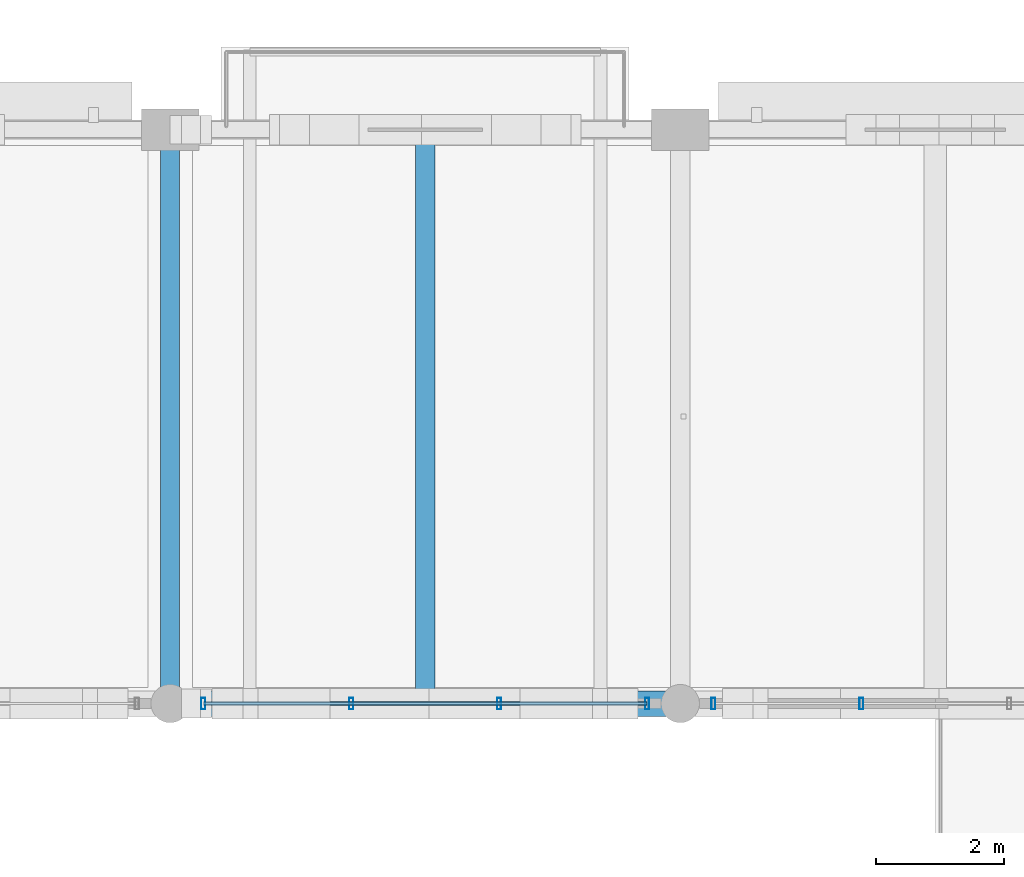
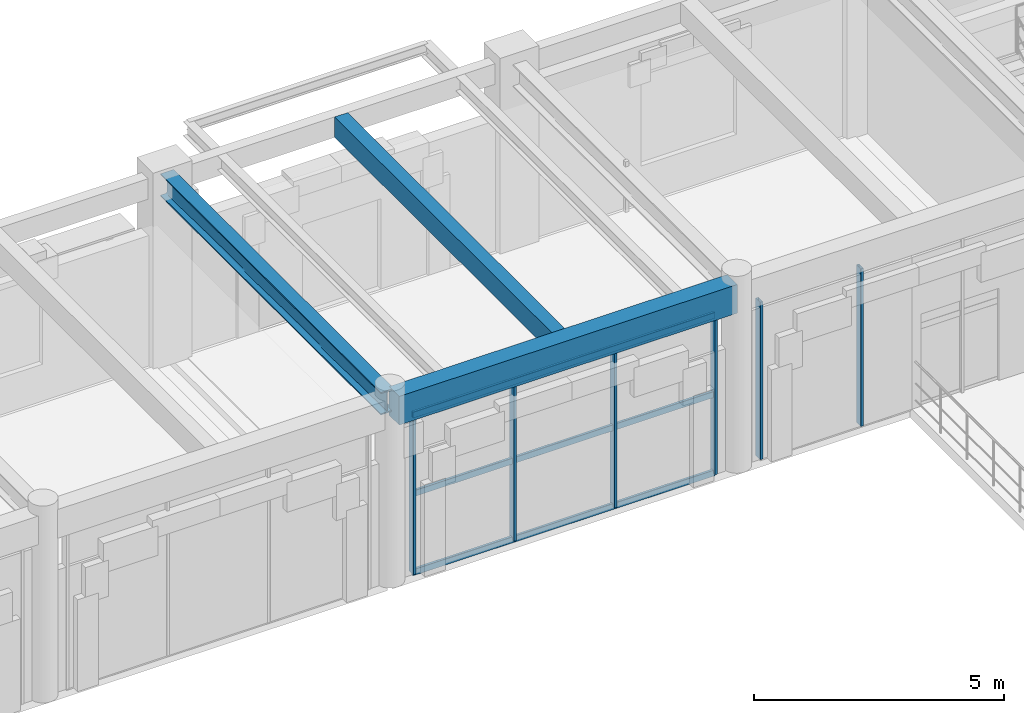
# One storey, part 67 of 144: 9 members, 3 beams, 2 elements without a shape of their own.
"""IFC4 building model written with IfcOpenShell, lengths in metres."""

from ifc_helpers import new_model, si_unit, direction, frame, origin, origin_2d, place, context, subcontext, project, spatial, rectangle, hollow_rectangle, i_section, extrude, material, material_profile, profile_set, type_object, element, aggregate, save


model = new_model("IFC4")

# Units and contexts
model_context = context("Model", 3, precision=1e-05, world=origin(), true_north=direction((0.0, 1.0)))
body_context = subcontext(model_context, "Body", "Model", "MODEL_VIEW")
ifc_project = project(units=[si_unit("LENGTHUNIT", "METRE"), si_unit("AREAUNIT", "SQUARE_METRE"), si_unit("VOLUMEUNIT", "CUBIC_METRE"), si_unit("PLANEANGLEUNIT", "RADIAN"), si_unit("MASSUNIT", "GRAM", prefix="KILO")], contexts=[model_context])

# Site, building, storey
site_placement = place(None, origin())
site = spatial("IfcSite", under=ifc_project, at=site_placement, CompositionType="ELEMENT")
building_placement = place(site_placement, origin())
building = spatial("IfcBuilding", under=site, at=building_placement, Name="Varnabhumi Central Station", CompositionType="ELEMENT")
storey_placement = place(building_placement, frame((0.0, 0.0, 4.800048828125)))
storey = spatial("IfcBuildingStorey", under=building, at=storey_placement, Name="L01", CompositionType="ELEMENT", Elevation=4.800048828125)

# Beams
ifc_material_1 = material(Name="Concrete M40", Category="concrete")
ifc_material_profile_1 = material_profile(ifc_material_1, rectangle(XDim=0.300048828125, YDim=0.5, at=origin_2d()), Name="Concrete M40", Category="concrete")
ifc_profile_set_1 = profile_set([ifc_material_profile_1], Name="Concrete M40")
beam_type_1 = type_object("IfcBeamType", Name="BM-RC-300x500", PredefinedType="JOIST", material=ifc_profile_set_1)
beam_1_placement = place(storey_placement, frame((68.0, 107.199951171875, 4.300048828125), z_axis=(0.0, 1.0, 0.0), x_axis=(-1.0, 0.0, 0.0)))
element("IfcBeam", 1, at=beam_1_placement, inside=storey, type_object=beam_type_1, Name="Secondary Joist L01-9/10:N-P", PredefinedType="JOIST", context=body_context, shape_type="SweptSolid", body=[
    extrude(rectangle(XDim=0.300048828125, YDim=0.5, at=origin_2d()), origin(), (0.0, 0.0, 1.0), 8.675048828125),
])
ifc_material_profile_2 = material_profile(ifc_material_1, rectangle(XDim=0.39990234375, YDim=0.699951171875, at=origin_2d()), Name="Concrete M40", Category="concrete")
ifc_profile_set_2 = profile_set([ifc_material_profile_2], Name="Concrete M40")
beam_type_2 = type_object("IfcBeamType", Name="BM-RC-400x700", PredefinedType="BEAM", material=ifc_profile_set_2)
beam_2_placement = place(storey_placement, frame((64.10009765625, 107.0, 4.199951171875), z_axis=(1.0, 0.0, 0.0), x_axis=(0.0, 1.0, 0.0)))
element("IfcBeam", 2, at=beam_2_placement, inside=storey, type_object=beam_type_2, Name="Beam L01-N:9-10", PredefinedType="BEAM", context=body_context, shape_type="SweptSolid", body=[
    extrude(rectangle(XDim=0.39990234375, YDim=0.699951171875, at=origin_2d()), origin(), (0.0, 0.0, 1.0), 7.7998046875),
])
ifc_material_2 = material(Name="Structural steel E350", Category="steel")
ifc_material_profile_3 = material_profile(ifc_material_2, i_section(OverallWidth=0.300048828125, OverallDepth=0.550048828125, WebThickness=0.014892578125, FlangeThickness=0.029052734375, FilletRadius=0.027099609375, at=origin_2d()), Name="Structural steel E350", Category="steel")
ifc_profile_set_3 = profile_set([ifc_material_profile_3], Name="Structural steel E350")
beam_type_3 = type_object("IfcBeamType", Name="BM-STL-WPB550", PredefinedType="BEAM", material=ifc_profile_set_3)
beam_3_placement = place(storey_placement, frame((64.0, 107.10009765625, 4.27490234375), z_axis=(0.0, 1.0, 0.0), x_axis=(-1.0, 0.0, 0.0)))
element("IfcBeam", 3, at=beam_3_placement, inside=storey, type_object=beam_type_3, Name="Beam L01-9:N-P", PredefinedType="BEAM", context=body_context, shape_type="SweptSolid", body=[
    extrude(i_section(OverallWidth=0.300048828125, OverallDepth=0.550048828125, WebThickness=0.014892578125, FlangeThickness=0.029052734375, FilletRadius=0.027099609375, at=origin_2d()), origin(), (0.0, 0.0, 1.0), 8.7998046875),
])

# Curtain wall, members
ifc_material_3 = material(Name="Anodised aluminium 6063-T6", Category="aluminium")
curtain_wall_type = type_object("IfcCurtainWallType", Name="CW-PATIO-LOGGIA-L1", PredefinedType="NOTDEFINED", material=ifc_material_3)
curtain_wall_1_placement = place(storey_placement, origin())
curtain_wall_1 = element("IfcCurtainWall", 4, at=curtain_wall_1_placement, inside=storey, type_object=curtain_wall_type, Name="Curtain Wall CW-NP1N3", PredefinedType="NOTDEFINED")
ifc_material_profile_4 = material_profile(ifc_material_3, hollow_rectangle(XDim=0.06494140625, YDim=0.179931640625, WallThickness=0.00390625, InnerFilletRadius=0.001953125, OuterFilletRadius=0.006103515625, at=origin_2d()), Name="Anodised aluminium 6063-T6", Category="aluminium")
ifc_profile_set_4 = profile_set([ifc_material_profile_4], Name="Anodised aluminium 6063-T6")
member_type_1 = type_object("IfcMemberType", Name="CW-MUL-180", PredefinedType="MULLION", material=ifc_profile_set_4)
member_1_placement = place(storey_placement, frame((64.52001953125, 107.0, 0.0), z_axis=(0.0, 0.0, 1.0), x_axis=(1.0, 0.0, 0.0)))
member_1 = element("IfcMember", 5, at=member_1_placement, type_object=member_type_1, Name="Curtain Wall Mullion CW-NP1N3-M1", PredefinedType="MULLION", context=body_context, shape_type="SweptSolid", body=[
    extrude(hollow_rectangle(XDim=0.06494140625, YDim=0.179931640625, WallThickness=0.00390625, InnerFilletRadius=0.001953125, OuterFilletRadius=0.006103515625, at=origin_2d()), origin(), (0.0, 0.0, 1.0), 3.83984375),
])
member_2_placement = place(storey_placement, frame((66.840087890625, 107.0, 0.0), z_axis=(0.0, 0.0, 1.0), x_axis=(1.0, 0.0, 0.0)))
member_2 = element("IfcMember", 6, at=member_2_placement, type_object=member_type_1, Name="Curtain Wall Mullion CW-NP1N3-M2", PredefinedType="MULLION", context=body_context, shape_type="SweptSolid", body=[
    extrude(hollow_rectangle(XDim=0.06494140625, YDim=0.179931640625, WallThickness=0.00390625, InnerFilletRadius=0.001953125, OuterFilletRadius=0.006103515625, at=origin_2d()), origin(), (0.0, 0.0, 1.0), 3.83984375),
])
member_3_placement = place(storey_placement, frame((69.159912109375, 107.0, 0.0), z_axis=(0.0, 0.0, 1.0), x_axis=(1.0, 0.0, 0.0)))
member_3 = element("IfcMember", 7, at=member_3_placement, type_object=member_type_1, Name="Curtain Wall Mullion CW-NP1N3-M3", PredefinedType="MULLION", context=body_context, shape_type="SweptSolid", body=[
    extrude(hollow_rectangle(XDim=0.06494140625, YDim=0.179931640625, WallThickness=0.00390625, InnerFilletRadius=0.001953125, OuterFilletRadius=0.006103515625, at=origin_2d()), origin(), (0.0, 0.0, 1.0), 3.83984375),
])
member_4_placement = place(storey_placement, frame((71.47998046875, 107.0, 0.0), z_axis=(0.0, 0.0, 1.0), x_axis=(1.0, 0.0, 0.0)))
member_4 = element("IfcMember", 8, at=member_4_placement, type_object=member_type_1, Name="Curtain Wall Mullion CW-NP1N3-M4", PredefinedType="MULLION", context=body_context, shape_type="SweptSolid", body=[
    extrude(hollow_rectangle(XDim=0.06494140625, YDim=0.179931640625, WallThickness=0.00390625, InnerFilletRadius=0.001953125, OuterFilletRadius=0.006103515625, at=origin_2d()), origin(), (0.0, 0.0, 1.0), 3.83984375),
])

curtain_wall_2_placement = place(storey_placement, origin())
curtain_wall_2 = element("IfcCurtainWall", 9, at=curtain_wall_2_placement, inside=storey, type_object=curtain_wall_type, Name="Curtain Wall CW-NP1N4", PredefinedType="NOTDEFINED")
member_5_placement = place(storey_placement, frame((72.52001953125, 107.0, 0.0), z_axis=(0.0, 0.0, 1.0), x_axis=(1.0, 0.0, 0.0)))
member_5 = element("IfcMember", 10, at=member_5_placement, type_object=member_type_1, Name="Curtain Wall Mullion CW-NP1N4-M1", PredefinedType="MULLION", context=body_context, shape_type="SweptSolid", body=[
    extrude(hollow_rectangle(XDim=0.06494140625, YDim=0.179931640625, WallThickness=0.00390625, InnerFilletRadius=0.001953125, OuterFilletRadius=0.006103515625, at=origin_2d()), origin(), (0.0, 0.0, 1.0), 3.83984375),
])
member_6_placement = place(storey_placement, frame((74.840087890625, 107.0, 0.0), z_axis=(0.0, 0.0, 1.0), x_axis=(1.0, 0.0, 0.0)))
member_6 = element("IfcMember", 11, at=member_6_placement, type_object=member_type_1, Name="Curtain Wall Mullion CW-NP1N4-M2", PredefinedType="MULLION", context=body_context, shape_type="SweptSolid", body=[
    extrude(hollow_rectangle(XDim=0.06494140625, YDim=0.179931640625, WallThickness=0.00390625, InnerFilletRadius=0.001953125, OuterFilletRadius=0.006103515625, at=origin_2d()), origin(), (0.0, 0.0, 1.0), 3.83984375),
])
aggregate(curtain_wall_2, [member_5, member_6])

# Member
ifc_material_profile_5 = material_profile(ifc_material_3, hollow_rectangle(XDim=0.06005859375, YDim=0.14990234375, WallThickness=0.00390625, InnerFilletRadius=0.001953125, OuterFilletRadius=0.006103515625, at=origin_2d()), Name="Anodised aluminium 6063-T6", Category="aluminium")
ifc_profile_set_5 = profile_set([ifc_material_profile_5], Name="Anodised aluminium 6063-T6")
member_type_2 = type_object("IfcMemberType", Name="CW-TR-150", PredefinedType="USERDEFINED", material=ifc_profile_set_5)
member_7_placement = place(storey_placement, frame((64.52001953125, 107.0, 0.0), z_axis=(1.0, 0.0, 0.0), x_axis=(0.0, 1.0, 0.0)))
member_7 = element("IfcMember", 12, at=member_7_placement, type_object=member_type_2, Name="Curtain Wall Transom CW-NP1N3-T1", ObjectType="TRANSOM", PredefinedType="USERDEFINED", context=body_context, shape_type="SweptSolid", body=[
    extrude(hollow_rectangle(XDim=0.06005859375, YDim=0.14990234375, WallThickness=0.00390625, InnerFilletRadius=0.001953125, OuterFilletRadius=0.006103515625, at=origin_2d()), origin(), (0.0, 0.0, 1.0), 6.9599609375),
])

member_8_placement = place(storey_placement, frame((64.52001953125, 107.0, 1.919921875), z_axis=(1.0, 0.0, 0.0), x_axis=(0.0, 1.0, 0.0)))
member_8 = element("IfcMember", 13, at=member_8_placement, type_object=member_type_2, Name="Curtain Wall Transom CW-NP1N3-T2", ObjectType="TRANSOM", PredefinedType="USERDEFINED", context=body_context, shape_type="SweptSolid", body=[
    extrude(hollow_rectangle(XDim=0.06005859375, YDim=0.14990234375, WallThickness=0.00390625, InnerFilletRadius=0.001953125, OuterFilletRadius=0.006103515625, at=origin_2d()), origin(), (0.0, 0.0, 1.0), 6.9599609375),
])

member_9_placement = place(storey_placement, frame((64.52001953125, 107.0, 3.83984375), z_axis=(1.0, 0.0, 0.0), x_axis=(0.0, 1.0, 0.0)))
member_9 = element("IfcMember", 14, at=member_9_placement, type_object=member_type_2, Name="Curtain Wall Transom CW-NP1N3-T3", ObjectType="TRANSOM", PredefinedType="USERDEFINED", context=body_context, shape_type="SweptSolid", body=[
    extrude(hollow_rectangle(XDim=0.06005859375, YDim=0.14990234375, WallThickness=0.00390625, InnerFilletRadius=0.001953125, OuterFilletRadius=0.006103515625, at=origin_2d()), origin(), (0.0, 0.0, 1.0), 6.9599609375),
])

aggregate(curtain_wall_1, [member_1, member_2, member_3, member_4, member_7, member_8, member_9])

save(model, "model.ifc")
